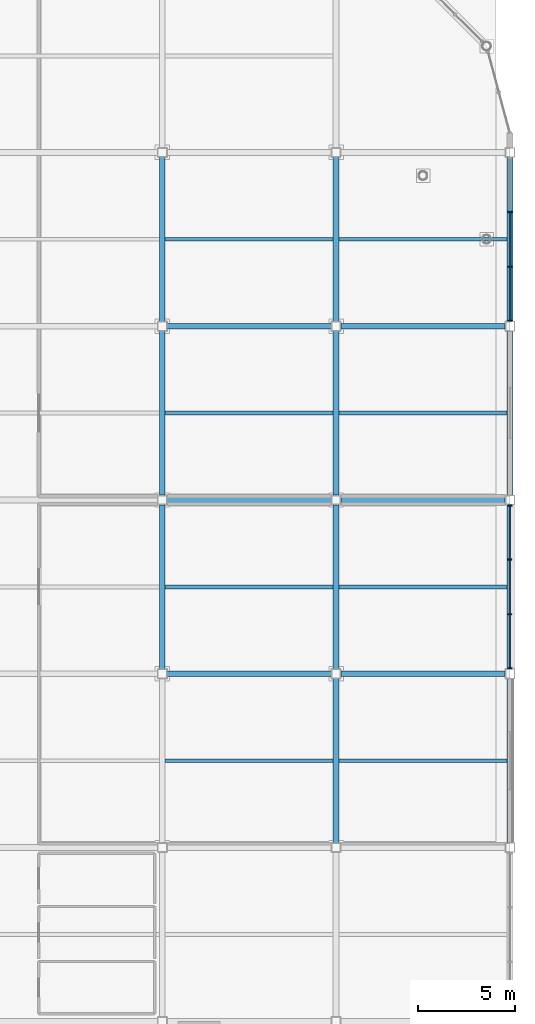
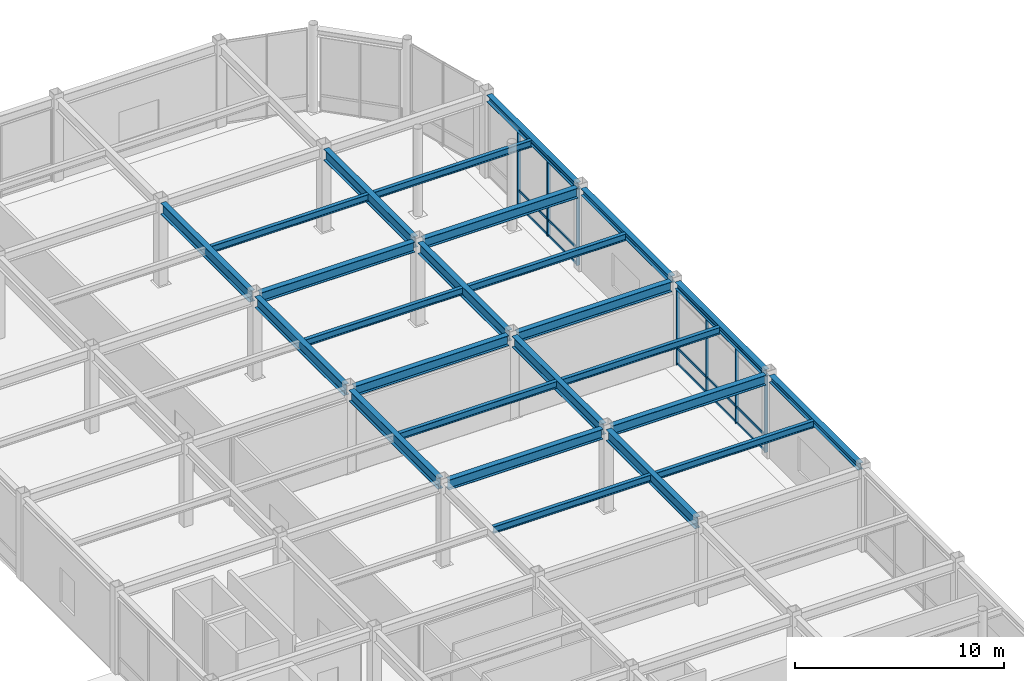
# One storey, part 61 of 123: 25 beams, 22 members, 2 elements without a shape of their own.
"""IFC4 building model written with IfcOpenShell, lengths in metres."""

from ifc_helpers import new_model, si_unit, direction, frame, origin, origin_2d, place, context, subcontext, project, spatial, rectangle, i_section, extrude, material, material_profile, profile_set, type_object, element, aggregate, save


model = new_model("IFC4")

# Units and contexts
model_context = context("Model", 3, precision=1e-05, world=origin(), true_north=direction((0.0, 1.0)))
body_context = subcontext(model_context, "Body", "Model", "MODEL_VIEW")
ifc_project = project(units=[si_unit("LENGTHUNIT", "METRE"), si_unit("AREAUNIT", "SQUARE_METRE"), si_unit("VOLUMEUNIT", "CUBIC_METRE"), si_unit("PLANEANGLEUNIT", "RADIAN"), si_unit("MASSUNIT", "GRAM", prefix="KILO")], contexts=[model_context])

# Site, building, storey
site_placement = place(None, origin())
site = spatial("IfcSite", under=ifc_project, at=site_placement, CompositionType="ELEMENT")
building_placement = place(site_placement, origin())
building = spatial("IfcBuilding", under=site, at=building_placement, Name="Suzunagisa Mobility Hub", CompositionType="ELEMENT")
storey_placement = place(building_placement, origin())
storey = spatial("IfcBuildingStorey", under=building, at=storey_placement, Name="L00", CompositionType="ELEMENT", Elevation=0.0)

# Curtain wall, members
ifc_material_1 = material(Name="Thermally Broken Anodized Aluminum and Low-E Glazing", Category="aluminium")
curtain_wall_type = type_object("IfcCurtainWallType", Name="Unitised Curtain Wall CW-47 8500x4400", PredefinedType="USERDEFINED", material=ifc_material_1)
curtain_wall_1_placement = place(storey_placement, origin())
curtain_wall_1 = element("IfcCurtainWall", 1, at=curtain_wall_1_placement, inside=storey, type_object=curtain_wall_type, Name="L00 Unitised Curtain Wall CW-174", ObjectType="UNITISED CURTAIN WALL", PredefinedType="USERDEFINED")
ifc_material_2 = material(Name="Anodized Aluminum 6063-T6", Category="aluminium")
ifc_material_profile_1 = material_profile(ifc_material_2, rectangle(XDim=0.06494140625, YDim=0.139892578125, at=origin_2d()), Name="TRAN-65x140")
ifc_profile_set_1 = profile_set([ifc_material_profile_1], Name="Anodized Aluminum 6063-T6")
member_type_1 = type_object("IfcMemberType", Name="Curtain Wall Framing CM-01 TRAN-65x140", PredefinedType="USERDEFINED", material=ifc_profile_set_1)
member_1_placement = place(storey_placement, frame((180.0, 71.31298828125, 0.032470703125), z_axis=(0.0, 1.0, 0.0), x_axis=(-1.0, 0.0, 0.0)))
member_1 = element("IfcMember", 2, at=member_1_placement, type_object=member_type_1, Name="Curtain Wall Transom 174-T1.1", ObjectType="TRANSOM", PredefinedType="USERDEFINED", context=body_context, shape_type="SweptSolid", body=[
    extrude(rectangle(XDim=0.06494140625, YDim=0.139892578125, at=origin_2d()), origin(), (0.0, 0.0, 1.0), 2.73974609375),
])
member_2_placement = place(storey_placement, frame((180.0, 71.31298828125, 0.949951171875), z_axis=(0.0, 1.0, 0.0), x_axis=(-1.0, 0.0, 0.0)))
member_2 = element("IfcMember", 3, at=member_2_placement, type_object=member_type_1, Name="Curtain Wall Transom 174-T1.2", ObjectType="TRANSOM", PredefinedType="USERDEFINED", context=body_context, shape_type="SweptSolid", body=[
    extrude(rectangle(XDim=0.06494140625, YDim=0.139892578125, at=origin_2d()), origin(), (0.0, 0.0, 1.0), 2.73974609375),
])
member_3_placement = place(storey_placement, frame((180.0, 71.31298828125, 4.407470703125), z_axis=(0.0, 1.0, 0.0), x_axis=(-1.0, 0.0, 0.0)))
member_3 = element("IfcMember", 4, at=member_3_placement, type_object=member_type_1, Name="Curtain Wall Transom 174-T1.3", ObjectType="TRANSOM", PredefinedType="USERDEFINED", context=body_context, shape_type="SweptSolid", body=[
    extrude(rectangle(XDim=0.06494140625, YDim=0.139892578125, at=origin_2d()), origin(), (0.0, 0.0, 1.0), 2.73974609375),
])
member_4_placement = place(storey_placement, frame((180.0, 74.11376953125, 0.032470703125), z_axis=(0.0, 1.0, 0.0), x_axis=(-1.0, 0.0, 0.0)))
member_4 = element("IfcMember", 5, at=member_4_placement, type_object=member_type_1, Name="Curtain Wall Transom 174-T2.1", ObjectType="TRANSOM", PredefinedType="USERDEFINED", context=body_context, shape_type="SweptSolid", body=[
    extrude(rectangle(XDim=0.06494140625, YDim=0.139892578125, at=origin_2d()), origin(), (0.0, 0.0, 1.0), 2.7724609375),
])
member_5_placement = place(storey_placement, frame((180.0, 74.11376953125, 0.949951171875), z_axis=(0.0, 1.0, 0.0), x_axis=(-1.0, 0.0, 0.0)))
member_5 = element("IfcMember", 6, at=member_5_placement, type_object=member_type_1, Name="Curtain Wall Transom 174-T2.2", ObjectType="TRANSOM", PredefinedType="USERDEFINED", context=body_context, shape_type="SweptSolid", body=[
    extrude(rectangle(XDim=0.06494140625, YDim=0.139892578125, at=origin_2d()), origin(), (0.0, 0.0, 1.0), 2.7724609375),
])
member_6_placement = place(storey_placement, frame((180.0, 74.11376953125, 4.407470703125), z_axis=(0.0, 1.0, 0.0), x_axis=(-1.0, 0.0, 0.0)))
member_6 = element("IfcMember", 7, at=member_6_placement, type_object=member_type_1, Name="Curtain Wall Transom 174-T2.3", ObjectType="TRANSOM", PredefinedType="USERDEFINED", context=body_context, shape_type="SweptSolid", body=[
    extrude(rectangle(XDim=0.06494140625, YDim=0.139892578125, at=origin_2d()), origin(), (0.0, 0.0, 1.0), 2.7724609375),
])
member_7_placement = place(storey_placement, frame((180.0, 76.947265625, 0.032470703125), z_axis=(0.0, 1.0, 0.0), x_axis=(-1.0, 0.0, 0.0)))
member_7 = element("IfcMember", 8, at=member_7_placement, type_object=member_type_1, Name="Curtain Wall Transom 174-T3.1", ObjectType="TRANSOM", PredefinedType="USERDEFINED", context=body_context, shape_type="SweptSolid", body=[
    extrude(rectangle(XDim=0.06494140625, YDim=0.139892578125, at=origin_2d()), origin(), (0.0, 0.0, 1.0), 2.73974609375),
])
member_8_placement = place(storey_placement, frame((180.0, 76.947265625, 0.949951171875), z_axis=(0.0, 1.0, 0.0), x_axis=(-1.0, 0.0, 0.0)))
member_8 = element("IfcMember", 9, at=member_8_placement, type_object=member_type_1, Name="Curtain Wall Transom 174-T3.2", ObjectType="TRANSOM", PredefinedType="USERDEFINED", context=body_context, shape_type="SweptSolid", body=[
    extrude(rectangle(XDim=0.06494140625, YDim=0.139892578125, at=origin_2d()), origin(), (0.0, 0.0, 1.0), 2.73974609375),
])
member_9_placement = place(storey_placement, frame((180.0, 76.947265625, 4.407470703125), z_axis=(0.0, 1.0, 0.0), x_axis=(-1.0, 0.0, 0.0)))
member_9 = element("IfcMember", 10, at=member_9_placement, type_object=member_type_1, Name="Curtain Wall Transom 174-T3.3", ObjectType="TRANSOM", PredefinedType="USERDEFINED", context=body_context, shape_type="SweptSolid", body=[
    extrude(rectangle(XDim=0.06494140625, YDim=0.139892578125, at=origin_2d()), origin(), (0.0, 0.0, 1.0), 2.73974609375),
])

curtain_wall_2_placement = place(storey_placement, origin())
curtain_wall_2 = element("IfcCurtainWall", 11, at=curtain_wall_2_placement, inside=storey, type_object=curtain_wall_type, Name="L00 Unitised Curtain Wall CW-175", ObjectType="UNITISED CURTAIN WALL", PredefinedType="USERDEFINED")
member_10_placement = place(storey_placement, frame((180.0, 89.31298828125, 0.032470703125), z_axis=(0.0, 1.0, 0.0), x_axis=(-1.0, 0.0, 0.0)))
member_10 = element("IfcMember", 12, at=member_10_placement, type_object=member_type_1, Name="Curtain Wall Transom 175-T1.1", ObjectType="TRANSOM", PredefinedType="USERDEFINED", context=body_context, shape_type="SweptSolid", body=[
    extrude(rectangle(XDim=0.06494140625, YDim=0.139892578125, at=origin_2d()), origin(), (0.0, 0.0, 1.0), 2.73974609375),
])
member_11_placement = place(storey_placement, frame((180.0, 89.31298828125, 0.949951171875), z_axis=(0.0, 1.0, 0.0), x_axis=(-1.0, 0.0, 0.0)))
member_11 = element("IfcMember", 13, at=member_11_placement, type_object=member_type_1, Name="Curtain Wall Transom 175-T1.2", ObjectType="TRANSOM", PredefinedType="USERDEFINED", context=body_context, shape_type="SweptSolid", body=[
    extrude(rectangle(XDim=0.06494140625, YDim=0.139892578125, at=origin_2d()), origin(), (0.0, 0.0, 1.0), 2.73974609375),
])
member_12_placement = place(storey_placement, frame((180.0, 89.31298828125, 4.407470703125), z_axis=(0.0, 1.0, 0.0), x_axis=(-1.0, 0.0, 0.0)))
member_12 = element("IfcMember", 14, at=member_12_placement, type_object=member_type_1, Name="Curtain Wall Transom 175-T1.3", ObjectType="TRANSOM", PredefinedType="USERDEFINED", context=body_context, shape_type="SweptSolid", body=[
    extrude(rectangle(XDim=0.06494140625, YDim=0.139892578125, at=origin_2d()), origin(), (0.0, 0.0, 1.0), 2.73974609375),
])
member_13_placement = place(storey_placement, frame((180.0, 92.11376953125, 0.032470703125), z_axis=(0.0, 1.0, 0.0), x_axis=(-1.0, 0.0, 0.0)))
member_13 = element("IfcMember", 15, at=member_13_placement, type_object=member_type_1, Name="Curtain Wall Transom 175-T2.1", ObjectType="TRANSOM", PredefinedType="USERDEFINED", context=body_context, shape_type="SweptSolid", body=[
    extrude(rectangle(XDim=0.06494140625, YDim=0.139892578125, at=origin_2d()), origin(), (0.0, 0.0, 1.0), 2.7724609375),
])
member_14_placement = place(storey_placement, frame((180.0, 92.11376953125, 0.949951171875), z_axis=(0.0, 1.0, 0.0), x_axis=(-1.0, 0.0, 0.0)))
member_14 = element("IfcMember", 16, at=member_14_placement, type_object=member_type_1, Name="Curtain Wall Transom 175-T2.2", ObjectType="TRANSOM", PredefinedType="USERDEFINED", context=body_context, shape_type="SweptSolid", body=[
    extrude(rectangle(XDim=0.06494140625, YDim=0.139892578125, at=origin_2d()), origin(), (0.0, 0.0, 1.0), 2.7724609375),
])
member_15_placement = place(storey_placement, frame((180.0, 92.11376953125, 4.407470703125), z_axis=(0.0, 1.0, 0.0), x_axis=(-1.0, 0.0, 0.0)))
member_15 = element("IfcMember", 17, at=member_15_placement, type_object=member_type_1, Name="Curtain Wall Transom 175-T2.3", ObjectType="TRANSOM", PredefinedType="USERDEFINED", context=body_context, shape_type="SweptSolid", body=[
    extrude(rectangle(XDim=0.06494140625, YDim=0.139892578125, at=origin_2d()), origin(), (0.0, 0.0, 1.0), 2.7724609375),
])

# Member
ifc_material_profile_2 = material_profile(ifc_material_2, rectangle(XDim=0.06494140625, YDim=0.179931640625, at=origin_2d()), Name="MULL-65x180")
ifc_profile_set_2 = profile_set([ifc_material_profile_2], Name="Anodized Aluminum 6063-T6")
member_type_2 = type_object("IfcMemberType", Name="Curtain Wall Framing CM-04 MULL-65x180", PredefinedType="MULLION", material=ifc_profile_set_2)
member_16_placement = place(storey_placement, frame((180.0, 71.282470703125, 0.0), z_axis=(0.0, 0.0, 1.0), x_axis=(0.0, 1.0, 0.0)))
member_16 = element("IfcMember", 18, at=member_16_placement, type_object=member_type_2, Name="Curtain Wall Mullion 174-M1", PredefinedType="MULLION", context=body_context, shape_type="SweptSolid", body=[
    extrude(rectangle(XDim=0.06494140625, YDim=0.179931640625, at=origin_2d()), origin(), (0.0, 0.0, 1.0), 4.43994140625),
])

member_17_placement = place(storey_placement, frame((180.0, 74.083251953125, 0.0), z_axis=(0.0, 0.0, 1.0), x_axis=(0.0, 1.0, 0.0)))
member_17 = element("IfcMember", 19, at=member_17_placement, type_object=member_type_2, Name="Curtain Wall Mullion 174-M2", PredefinedType="MULLION", context=body_context, shape_type="SweptSolid", body=[
    extrude(rectangle(XDim=0.06494140625, YDim=0.179931640625, at=origin_2d()), origin(), (0.0, 0.0, 1.0), 4.43994140625),
])

member_18_placement = place(storey_placement, frame((180.0, 76.916748046875, 0.0), z_axis=(0.0, 0.0, 1.0), x_axis=(0.0, 1.0, 0.0)))
member_18 = element("IfcMember", 20, at=member_18_placement, type_object=member_type_2, Name="Curtain Wall Mullion 174-M3", PredefinedType="MULLION", context=body_context, shape_type="SweptSolid", body=[
    extrude(rectangle(XDim=0.06494140625, YDim=0.179931640625, at=origin_2d()), origin(), (0.0, 0.0, 1.0), 4.43994140625),
])

member_19_placement = place(storey_placement, frame((180.0, 79.717529296875, 0.0), z_axis=(0.0, 0.0, 1.0), x_axis=(0.0, 1.0, 0.0)))
member_19 = element("IfcMember", 21, at=member_19_placement, type_object=member_type_2, Name="Curtain Wall Mullion 174-M4", PredefinedType="MULLION", context=body_context, shape_type="SweptSolid", body=[
    extrude(rectangle(XDim=0.06494140625, YDim=0.179931640625, at=origin_2d()), origin(), (0.0, 0.0, 1.0), 4.43994140625),
])

aggregate(curtain_wall_1, [member_16, member_17, member_18, member_19, member_1, member_2, member_3, member_4, member_5, member_6, member_7, member_8, member_9])

member_20_placement = place(storey_placement, frame((180.0, 89.282470703125, 0.0), z_axis=(0.0, 0.0, 1.0), x_axis=(0.0, 1.0, 0.0)))
member_20 = element("IfcMember", 22, at=member_20_placement, type_object=member_type_2, Name="Curtain Wall Mullion 175-M1", PredefinedType="MULLION", context=body_context, shape_type="SweptSolid", body=[
    extrude(rectangle(XDim=0.06494140625, YDim=0.179931640625, at=origin_2d()), origin(), (0.0, 0.0, 1.0), 4.43994140625),
])

member_21_placement = place(storey_placement, frame((180.0, 92.083251953125, 0.0), z_axis=(0.0, 0.0, 1.0), x_axis=(0.0, 1.0, 0.0)))
member_21 = element("IfcMember", 23, at=member_21_placement, type_object=member_type_2, Name="Curtain Wall Mullion 175-M2", PredefinedType="MULLION", context=body_context, shape_type="SweptSolid", body=[
    extrude(rectangle(XDim=0.06494140625, YDim=0.179931640625, at=origin_2d()), origin(), (0.0, 0.0, 1.0), 4.43994140625),
])

member_22_placement = place(storey_placement, frame((180.0, 94.916748046875, 0.0), z_axis=(0.0, 0.0, 1.0), x_axis=(0.0, 1.0, 0.0)))
member_22 = element("IfcMember", 24, at=member_22_placement, type_object=member_type_2, Name="Curtain Wall Mullion 175-M3", PredefinedType="MULLION", context=body_context, shape_type="SweptSolid", body=[
    extrude(rectangle(XDim=0.06494140625, YDim=0.179931640625, at=origin_2d()), origin(), (0.0, 0.0, 1.0), 4.43994140625),
])

aggregate(curtain_wall_2, [member_20, member_21, member_22, member_10, member_11, member_12, member_13, member_14, member_15])

# Beams
ifc_material_3 = material(Name="Steel SN490B", Category="steel")
ifc_material_profile_3 = material_profile(ifc_material_3, i_section(OverallWidth=0.300048828125, OverallDepth=0.64990234375, WebThickness=0.012939453125, FlangeThickness=0.02197265625, FilletRadius=0.01611328125, at=origin_2d()), Name="H-650x300x13x22")
ifc_profile_set_3 = profile_set([ifc_material_profile_3], Name="Steel SN490B")
beam_type_1 = type_object("IfcBeamType", Name="Steel Beam BM-10 H-650x300x13x22", PredefinedType="BEAM", material=ifc_profile_set_3)
for number, where, z_axis, x_axis, name in (
    (25, (162.0, 71.24609375, 4.514892578125), (0.0, 1.0, 0.0), (-1.0, 0.0, 0.0), "L00 Primary Girder GY-1754"),
    (26, (162.0, 80.24609375, 4.514892578125), (0.0, 1.0, 0.0), (-1.0, 0.0, 0.0), "L00 Primary Girder GY-1755"),
    (27, (162.0, 89.24609375, 4.514892578125), (0.0, 1.0, 0.0), (-1.0, 0.0, 0.0), "L00 Primary Girder GY-1756"),
    (28, (171.0, 62.24609375, 4.514892578125), (0.0, 1.0, 0.0), (-1.0, 0.0, 0.0), "L00 Primary Girder GY-1760"),
    (29, (171.0, 71.24609375, 4.514892578125), (0.0, 1.0, 0.0), (-1.0, 0.0, 0.0), "L00 Primary Girder GY-1761"),
    (30, (171.0, 80.24609375, 4.514892578125), (0.0, 1.0, 0.0), (-1.0, 0.0, 0.0), "L00 Primary Girder GY-1762"),
    (31, (171.0, 89.24609375, 4.514892578125), (0.0, 1.0, 0.0), (-1.0, 0.0, 0.0), "L00 Primary Girder GY-1763"),
):
    element("IfcBeam", number, at=place(storey_placement, frame(where, z_axis=z_axis, x_axis=x_axis)), inside=storey, type_object=beam_type_1, Name=name, PredefinedType="BEAM", context=body_context, shape_type="SweptSolid", body=[
        extrude(i_section(OverallWidth=0.300048828125, OverallDepth=0.64990234375, WebThickness=0.012939453125, FlangeThickness=0.02197265625, FilletRadius=0.01611328125, at=origin_2d()), origin(), (0.0, 0.0, 1.0), 8.5078125),
    ])
ifc_material_profile_4 = material_profile(ifc_material_3, i_section(OverallWidth=0.300048828125, OverallDepth=0.389892578125, WebThickness=0.010009765625, FlangeThickness=0.01611328125, FilletRadius=0.012939453125, at=origin_2d()), Name="H-390x300x10x16")
ifc_profile_set_4 = profile_set([ifc_material_profile_4], Name="Steel SN490B")
beam_type_2 = type_object("IfcBeamType", Name="Steel Beam BM-13 H-390x300x10x16", PredefinedType="SPANDREL", material=ifc_profile_set_4)
for number, where, z_axis, x_axis, name in (
    (32, (180.0, 62.24609375, 4.64501953125), (0.0, 1.0, 0.0), (-1.0, 0.0, 0.0), "L00 Primary Girder GY-1767"),
    (33, (180.0, 71.24609375, 4.64501953125), (0.0, 1.0, 0.0), (-1.0, 0.0, 0.0), "L00 Primary Girder GY-1768"),
    (34, (180.0, 80.24609375, 4.64501953125), (0.0, 1.0, 0.0), (-1.0, 0.0, 0.0), "L00 Primary Girder GY-1769"),
    (35, (180.0, 89.24609375, 4.64501953125), (0.0, 1.0, 0.0), (-1.0, 0.0, 0.0), "L00 Primary Girder GY-1770"),
):
    element("IfcBeam", number, at=place(storey_placement, frame(where, z_axis=z_axis, x_axis=x_axis)), inside=storey, type_object=beam_type_2, Name=name, PredefinedType="SPANDREL", context=body_context, shape_type="SweptSolid", body=[
        extrude(i_section(OverallWidth=0.300048828125, OverallDepth=0.389892578125, WebThickness=0.010009765625, FlangeThickness=0.01611328125, FilletRadius=0.012939453125, at=origin_2d()), origin(), (0.0, 0.0, 1.0), 8.5078125),
    ])
ifc_material_4 = material(Name="Steel SN400B", Category="steel")
ifc_material_profile_5 = material_profile(ifc_material_4, i_section(OverallWidth=0.199951171875, OverallDepth=0.39990234375, WebThickness=0.008056640625, FlangeThickness=0.012939453125, FilletRadius=0.012939453125, at=origin_2d()), Name="H-400x200x8x13")
ifc_profile_set_5 = profile_set([ifc_material_profile_5], Name="Steel SN400B")
beam_type_3 = type_object("IfcBeamType", Name="Steel Beam BM-14 H-400x200x8x13", PredefinedType="JOIST", material=ifc_profile_set_5)
for number, where, z_axis, x_axis, name in (
    (36, (162.14990234375, 66.5, 4.639892578125), (1.0, 0.0, 0.0), (0.0, 1.0, 0.0), "L00 Composite Floor Joist J-1784"),
    (37, (162.14990234375, 75.5, 4.639892578125), (1.0, 0.0, 0.0), (0.0, 1.0, 0.0), "L00 Composite Floor Joist J-1785"),
    (38, (162.14990234375, 84.5, 4.639892578125), (1.0, 0.0, 0.0), (0.0, 1.0, 0.0), "L00 Composite Floor Joist J-1786"),
    (39, (162.14990234375, 93.5, 4.639892578125), (1.0, 0.0, 0.0), (0.0, 1.0, 0.0), "L00 Composite Floor Joist J-1787"),
    (40, (171.14990234375, 66.5, 4.639892578125), (1.0, 0.0, 0.0), (0.0, 1.0, 0.0), "L00 Composite Floor Joist J-1791"),
    (41, (171.14990234375, 75.5, 4.639892578125), (1.0, 0.0, 0.0), (0.0, 1.0, 0.0), "L00 Composite Floor Joist J-1792"),
    (42, (171.14990234375, 84.5, 4.639892578125), (1.0, 0.0, 0.0), (0.0, 1.0, 0.0), "L00 Composite Floor Joist J-1793"),
    (43, (171.14990234375, 93.5, 4.639892578125), (1.0, 0.0, 0.0), (0.0, 1.0, 0.0), "L00 Composite Floor Joist J-1794"),
):
    element("IfcBeam", number, at=place(storey_placement, frame(where, z_axis=z_axis, x_axis=x_axis)), inside=storey, type_object=beam_type_3, Name=name, PredefinedType="JOIST", context=body_context, shape_type="SweptSolid", body=[
        extrude(i_section(OverallWidth=0.199951171875, OverallDepth=0.39990234375, WebThickness=0.008056640625, FlangeThickness=0.012939453125, FilletRadius=0.012939453125, at=origin_2d()), origin(), (0.0, 0.0, 1.0), 8.7001953125),
    ])
ifc_material_profile_6 = material_profile(ifc_material_3, i_section(OverallWidth=0.300048828125, OverallDepth=0.587890625, WebThickness=0.011962890625, FlangeThickness=0.02001953125, FilletRadius=0.012939453125, at=origin_2d()), Name="H-588x300x12x20")
ifc_profile_set_6 = profile_set([ifc_material_profile_6], Name="Steel SN490B")
beam_type_4 = type_object("IfcBeamType", Name="Steel Beam BM-16 H-588x300x12x20", PredefinedType="BEAM", material=ifc_profile_set_6)
for number, where, z_axis, x_axis, name in (
    (44, (162.24609375, 71.0, 4.5458984375), (1.0, 0.0, 0.0), (0.0, 1.0, 0.0), "L00 Primary Girder GX-1720"),
    (45, (171.24609375, 71.0, 4.5458984375), (1.0, 0.0, 0.0), (0.0, 1.0, 0.0), "L00 Primary Girder GX-1721"),
    (46, (162.24609375, 80.0, 4.5458984375), (1.0, 0.0, 0.0), (0.0, 1.0, 0.0), "L00 Primary Girder GX-1724"),
    (47, (171.24609375, 80.0, 4.5458984375), (1.0, 0.0, 0.0), (0.0, 1.0, 0.0), "L00 Primary Girder GX-1725"),
    (48, (162.24609375, 89.0, 4.5458984375), (1.0, 0.0, 0.0), (0.0, 1.0, 0.0), "L00 Primary Girder GX-1728"),
    (49, (171.24609375, 89.0, 4.5458984375), (1.0, 0.0, 0.0), (0.0, 1.0, 0.0), "L00 Primary Girder GX-1729"),
):
    element("IfcBeam", number, at=place(storey_placement, frame(where, z_axis=z_axis, x_axis=x_axis)), inside=storey, type_object=beam_type_4, Name=name, PredefinedType="BEAM", context=body_context, shape_type="SweptSolid", body=[
        extrude(i_section(OverallWidth=0.300048828125, OverallDepth=0.587890625, WebThickness=0.011962890625, FlangeThickness=0.02001953125, FilletRadius=0.012939453125, at=origin_2d()), origin(), (0.0, 0.0, 1.0), 8.5078125),
    ])

save(model, "model.ifc")
